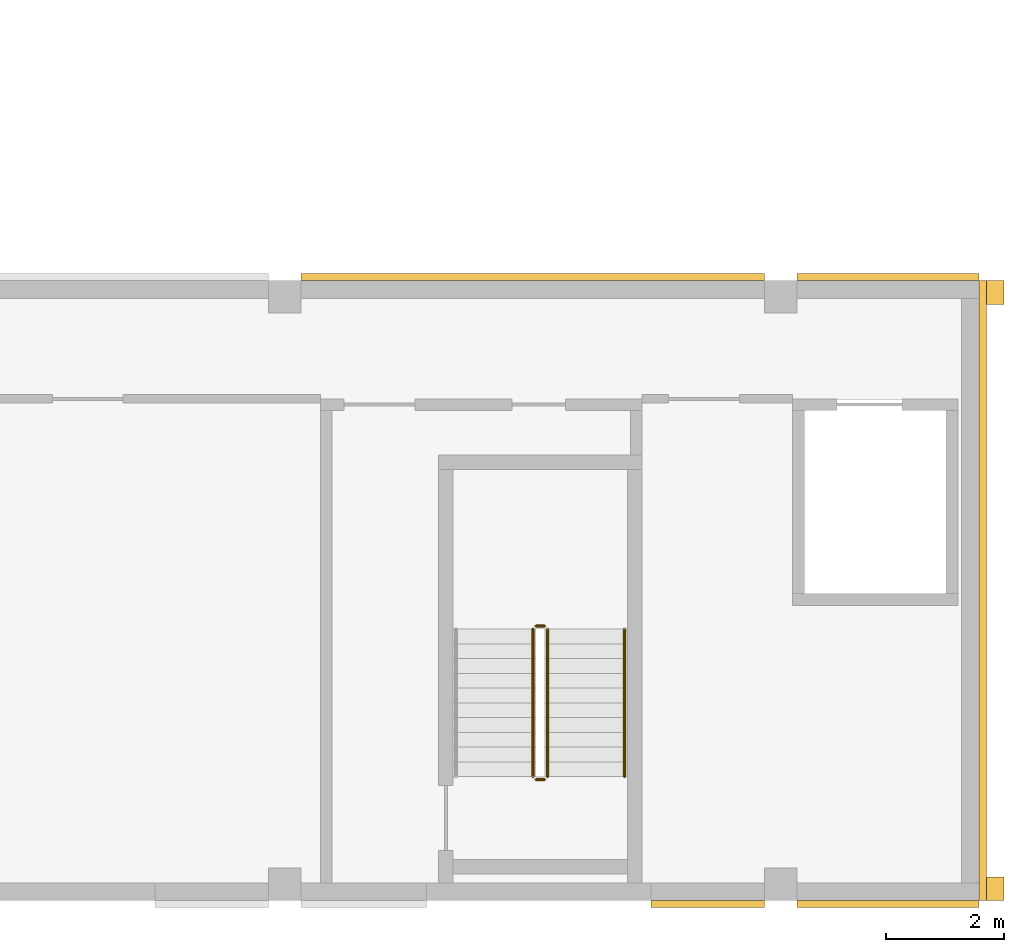
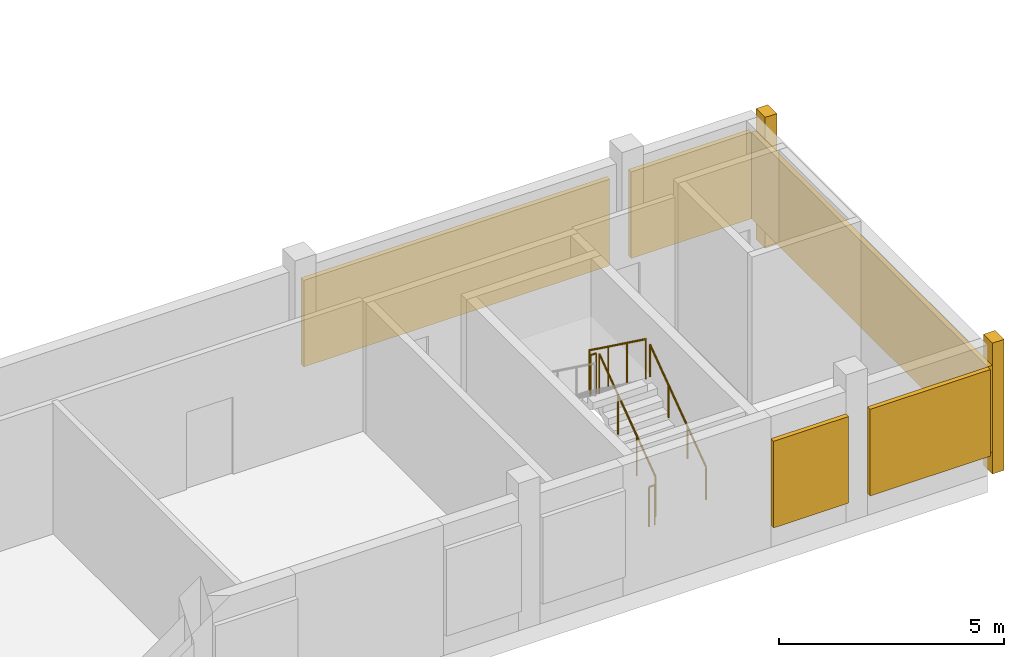
# One storey, part 4 of 5: 7 coverings, 5 railings.
"""IFC4 building model written with IfcOpenShell, lengths in metres."""

from ifc_helpers import new_model, si_unit, direction, frame, origin, origin_2d, place, context, subcontext, project, spatial, rectangle, circle, extrude, source, transform, mapped, material, type_object, element, save


model = new_model("IFC4")

# Units and contexts
model_context = context("Model", 3, precision=1e-05, world=origin(), true_north=direction((0.0, 1.0)))
body_context = subcontext(model_context, "Body", "Model", "MODEL_VIEW")
ifc_project = project(units=[si_unit("LENGTHUNIT", "METRE"), si_unit("AREAUNIT", "SQUARE_METRE"), si_unit("VOLUMEUNIT", "CUBIC_METRE"), si_unit("PLANEANGLEUNIT", "RADIAN"), si_unit("MASSUNIT", "GRAM", prefix="KILO")], contexts=[model_context])

# Site, building, storey
site_placement = place(None, origin())
site = spatial("IfcSite", under=ifc_project, at=site_placement, CompositionType="ELEMENT")
building_placement = place(site_placement, origin())
building = spatial("IfcBuilding", under=site, at=building_placement, Name="Aurelian Terraces", CompositionType="ELEMENT")
storey_placement = place(building_placement, frame((0.0, 0.0, 372.5)))
storey = spatial("IfcBuildingStorey", under=building, at=storey_placement, Name="L89", CompositionType="ELEMENT", Elevation=372.5)

# Coverings
ifc_material_1 = material(Name="Terracotta rainscreen cladding relief", Category="masonry")
covering_type_1 = type_object("IfcCoveringType", Name="FIN-TC", PredefinedType="CLADDING", material=ifc_material_1)
covering_1_placement = place(storey_placement, frame((49.83, 0.2, 0.0), z_axis=(0.0, 0.0, 1.0), x_axis=(1.0, 0.0, 0.0)))
element("IfcCovering", 1, at=covering_1_placement, inside=storey, type_object=covering_type_1, Name="FIN crown L89 F02", PredefinedType="CLADDING", context=body_context, shape_type="SweptSolid", body=[
    extrude(rectangle(XDim=0.3, YDim=0.4, at=origin_2d()), origin(), (0.0, 0.0, 1.0), 3.55),
])
ifc_material_2 = material(Name="Terracotta rainscreen cladding louvre blades", Category="masonry")
covering_type_2 = type_object("IfcCoveringType", Name="LOUVRE-TC", PredefinedType="CLADDING", material=ifc_material_2)
covering_2_placement = place(storey_placement, frame((48.0175, -0.06, 0.6), z_axis=(0.0, 0.0, 1.0), x_axis=(1.0, 0.0, 0.0)))
element("IfcCovering", 2, at=covering_2_placement, inside=storey, type_object=covering_type_2, Name="LOUVRE L89 F01", PredefinedType="CLADDING", context=body_context, shape_type="SweptSolid", body=[
    extrude(rectangle(XDim=3.085, YDim=0.12, at=origin_2d()), origin(), (0.0, 0.0, 1.0), 2.35),
])
covering_3_placement = place(storey_placement, frame((49.62, 5.25, 0.6), z_axis=(0.0, 0.0, 1.0), x_axis=(1.0, 0.0, 0.0)))
element("IfcCovering", 3, at=covering_3_placement, inside=storey, type_object=covering_type_2, Name="LOUVRE L89 F02", PredefinedType="CLADDING", context=body_context, shape_type="SweptSolid", body=[
    extrude(rectangle(XDim=0.12, YDim=10.5, at=origin_2d()), origin(), (0.0, 0.0, 1.0), 2.35),
])
covering_4_placement = place(storey_placement, frame((42.0, 10.56, 0.6), z_axis=(0.0, 0.0, 1.0), x_axis=(1.0, 0.0, 0.0)))
element("IfcCovering", 4, at=covering_4_placement, inside=storey, type_object=covering_type_2, Name="LOUVRE L89 F03", PredefinedType="CLADDING", context=body_context, shape_type="SweptSolid", body=[
    extrude(rectangle(XDim=7.85, YDim=0.12, at=origin_2d()), origin(), (0.0, 0.0, 1.0), 2.35),
])
shared_shape_1 = source(origin(), body_context, "Body", "SweptSolid", [
    extrude(rectangle(XDim=1.925, YDim=0.12, at=origin_2d()), origin(), (0.0, 0.0, 1.0), 2.35),
])
covering_5_placement = place(storey_placement, frame((44.9625, -0.06, 0.6), z_axis=(0.0, 0.0, 1.0), x_axis=(1.0, 0.0, 0.0)))
element("IfcCovering", 5, at=covering_5_placement, inside=storey, type_object=covering_type_2, Name="LOUVRE L89 F01", PredefinedType="CLADDING", context=body_context, shape_type="MappedRepresentation", body=[
    mapped(shared_shape_1, transform((0.0, 0.0, 0.0), scale=1.0)),
])
shared_shape_2 = source(origin(), body_context, "Body", "SweptSolid", [
    extrude(rectangle(XDim=0.3, YDim=0.4, at=origin_2d()), origin(), (0.0, 0.0, 1.0), 3.55),
])
covering_6_placement = place(storey_placement, frame((49.83, 10.3, 0.0), z_axis=(0.0, 0.0, 1.0), x_axis=(1.0, 0.0, 0.0)))
element("IfcCovering", 6, at=covering_6_placement, inside=storey, type_object=covering_type_1, Name="FIN crown L89 F02", PredefinedType="CLADDING", context=body_context, shape_type="MappedRepresentation", body=[
    mapped(shared_shape_2, transform((0.0, 0.0, 0.0), scale=1.0)),
])
shared_shape_3 = source(origin(), body_context, "Body", "SweptSolid", [
    extrude(rectangle(XDim=3.085, YDim=0.12, at=origin_2d()), origin(), (0.0, 0.0, 1.0), 2.35),
])
covering_7_placement = place(storey_placement, frame((48.0175, 10.56, 0.6), z_axis=(0.0, 0.0, 1.0), x_axis=(1.0, 0.0, 0.0)))
element("IfcCovering", 7, at=covering_7_placement, inside=storey, type_object=covering_type_2, Name="LOUVRE L89 F03", PredefinedType="CLADDING", context=body_context, shape_type="MappedRepresentation", body=[
    mapped(shared_shape_3, transform((0.0, 0.0, 0.0), scale=1.0)),
])

# Railings
ifc_material_3 = material(Name="Stainless steel", Category="steel")
railing_type_1 = type_object("IfcRailingType", Name="Stair guard 1100", PredefinedType="GUARDRAIL", material=ifc_material_3)
shared_shape_4 = source(origin(), body_context, "Body", "SweptSolid", [
    extrude(circle(Radius=0.024, at=origin_2d()), frame((0.0, 0.0, 1.076), z_axis=(-1.0, 0.0, 0.0), x_axis=(0.0, -1.0, 0.0)), (0.0, 0.0, 1.0), 0.15),
    extrude(circle(Radius=0.021, at=origin_2d()), origin(), (0.0, 0.0, 1.0), 1.052),
    extrude(circle(Radius=0.021, at=origin_2d()), frame((-0.15, 0.0, 0.0)), (0.0, 0.0, 1.0), 1.052),
])
for number, where, name in (
    (8, (42.2, 4.65, 2.0), "L89 S2 stair guard 2"),
    (9, (42.2, 2.05, 0.0), "L89 S2 stair guard 4"),
):
    element("IfcRailing", number, at=place(storey_placement, frame(where)), inside=storey, type_object=railing_type_1, Name=name, PredefinedType="GUARDRAIL", context=body_context, shape_type="MappedRepresentation", body=[
        mapped(shared_shape_4, transform((0.0, 0.0, 0.0), scale=1.0)),
    ])
shared_shape_5 = source(origin(), body_context, "Body", "SweptSolid", [
    extrude(circle(Radius=0.024, at=origin_2d()), frame((0.0, 0.0, 1.076), z_axis=(0.0, 0.808733286514, 0.588175544616), x_axis=(-1.0, 0.0, 0.0)), (0.0, 0.0, 1.0), 3.0913),
    extrude(circle(Radius=0.021, at=origin_2d()), origin(), (0.0, 0.0, 1.0), 1.052),
    extrude(circle(Radius=0.021, at=origin_2d()), frame((0.0, 0.8333, 0.6061)), (0.0, 0.0, 1.0), 1.052),
    extrude(circle(Radius=0.021, at=origin_2d()), frame((0.0, 1.6667, 1.2121)), (0.0, 0.0, 1.0), 1.052),
    extrude(circle(Radius=0.021, at=origin_2d()), frame((0.0, 2.5, 1.8182)), (0.0, 0.0, 1.0), 1.052),
])
railing_1_placement = place(storey_placement, frame((42.25, 2.1, 0.1818)))
element("IfcRailing", 10, at=railing_1_placement, inside=storey, type_object=railing_type_1, Name="L89 S2 stair guard 1", PredefinedType="GUARDRAIL", context=body_context, shape_type="MappedRepresentation", body=[
    mapped(shared_shape_5, transform((0.0, 0.0, 0.0), scale=1.0)),
])
shared_shape_6 = source(origin(), body_context, "Body", "SweptSolid", [
    extrude(circle(Radius=0.024, at=origin_2d()), frame((0.0, 0.0, 1.076), z_axis=(0.0, -0.808733286514, 0.588175544616), x_axis=(1.0, 0.0, 0.0)), (0.0, 0.0, 1.0), 3.0913),
    extrude(circle(Radius=0.021, at=origin_2d()), origin(), (0.0, 0.0, 1.0), 1.052),
    extrude(circle(Radius=0.021, at=origin_2d()), frame((0.0, -0.8333, 0.6061)), (0.0, 0.0, 1.0), 1.052),
    extrude(circle(Radius=0.021, at=origin_2d()), frame((0.0, -1.6667, 1.2121)), (0.0, 0.0, 1.0), 1.052),
    extrude(circle(Radius=0.021, at=origin_2d()), frame((0.0, -2.5, 1.8182)), (0.0, 0.0, 1.0), 1.052),
])
railing_2_placement = place(storey_placement, frame((42.0, 4.6, 2.1818)))
element("IfcRailing", 11, at=railing_2_placement, inside=storey, type_object=railing_type_1, Name="L89 S2 stair guard 3", PredefinedType="GUARDRAIL", context=body_context, shape_type="MappedRepresentation", body=[
    mapped(shared_shape_6, transform((0.0, 0.0, 0.0), scale=1.0)),
])
railing_type_2 = type_object("IfcRailingType", Name="Stair handrail", PredefinedType="HANDRAIL", material=ifc_material_3)
shared_shape_7 = source(origin(), body_context, "Body", "SweptSolid", [
    extrude(circle(Radius=0.024, at=origin_2d()), frame((0.0, 0.0, 0.876), z_axis=(0.0, 0.808733286514, 0.588175544616), x_axis=(-1.0, 0.0, 0.0)), (0.0, 0.0, 1.0), 3.0913),
    extrude(circle(Radius=0.021, at=origin_2d()), origin(), (0.0, 0.0, 1.0), 0.852),
    extrude(circle(Radius=0.021, at=origin_2d()), frame((0.0, 0.8333, 0.6061)), (0.0, 0.0, 1.0), 0.852),
    extrude(circle(Radius=0.021, at=origin_2d()), frame((0.0, 1.6667, 1.2121)), (0.0, 0.0, 1.0), 0.852),
    extrude(circle(Radius=0.021, at=origin_2d()), frame((0.0, 2.5, 1.8182)), (0.0, 0.0, 1.0), 0.852),
])
railing_3_placement = place(storey_placement, frame((43.55, 2.1, 0.1818)))
element("IfcRailing", 12, at=railing_3_placement, inside=storey, type_object=railing_type_2, Name="L89 S2 stair handrail 1", PredefinedType="HANDRAIL", context=body_context, shape_type="MappedRepresentation", body=[
    mapped(shared_shape_7, transform((0.0, 0.0, 0.0), scale=1.0)),
])

save(model, "model.ifc")
